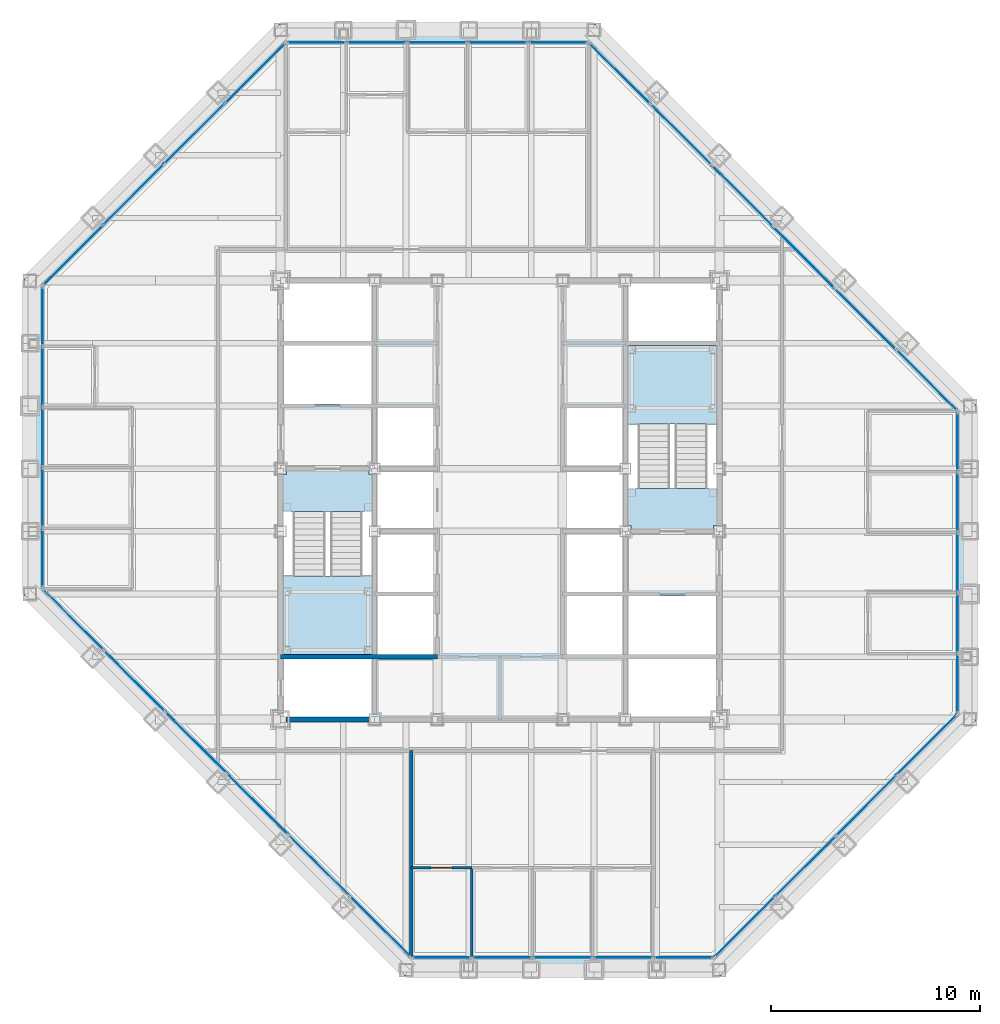
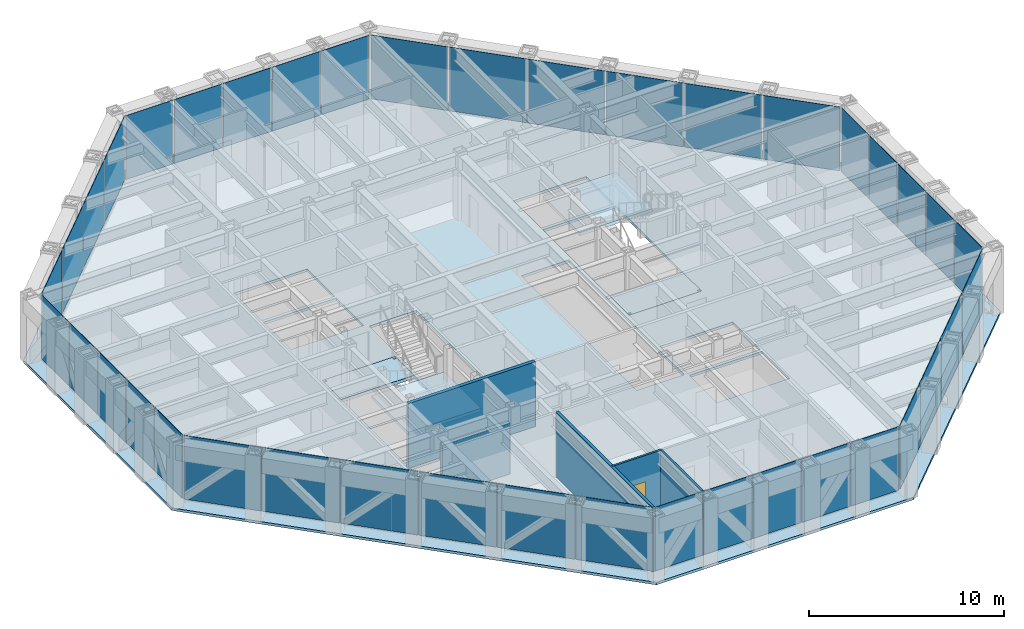
# One storey, part 10 of 16: 40 plates, 5 slabs, 5 walls, 1 door, 1 opening, 10 elements without a shape of their own.
"""IFC4 building model written with IfcOpenShell, lengths in metres."""

from ifc_helpers import new_model, si_unit, direction, frame, frame_2d, origin, origin_2d, place, context, subcontext, project, spatial, polyline, rectangle, outline, extrude, material, layer, layer_set, type_object, element, fill, aggregate, save


model = new_model("IFC4")

# Units and contexts
model_context = context("Model", 3, precision=1e-05, world=origin(), true_north=direction((0.0, 1.0)))
body_context = subcontext(model_context, "Body", "Model", "MODEL_VIEW")
ifc_project = project(units=[si_unit("LENGTHUNIT", "METRE"), si_unit("AREAUNIT", "SQUARE_METRE"), si_unit("VOLUMEUNIT", "CUBIC_METRE"), si_unit("PLANEANGLEUNIT", "RADIAN"), si_unit("MASSUNIT", "GRAM", prefix="KILO")], contexts=[model_context])

# Site, building, storey
site_placement = place(None, origin())
site = spatial("IfcSite", under=ifc_project, at=site_placement, CompositionType="ELEMENT")
building_placement = place(site_placement, origin())
building = spatial("IfcBuilding", under=site, at=building_placement, Name="Chuquiago Exchange Tower", CompositionType="ELEMENT")
storey_placement = place(building_placement, frame((0.0, 0.0, 247.5)))
storey = spatial("IfcBuildingStorey", under=building, at=storey_placement, Name="L55", CompositionType="ELEMENT", Elevation=247.5)

# Curtain wall, plate
ifc_material_1 = material(Name="Aluminium curtain wall system", Category="aluminium")
ifc_layer_1 = layer(ifc_material_1, 0.22509765625)
ifc_layer_set_1 = layer_set([ifc_layer_1], Name="CW2 office curtain wall")
curtain_wall_type_1 = type_object("IfcCurtainWallType", Name="CW2 office curtain wall", PredefinedType="NOTDEFINED", material=ifc_layer_set_1)
curtain_wall_1_placement = place(storey_placement, origin())
curtain_wall_1 = element("IfcCurtainWall", 1, at=curtain_wall_1_placement, inside=storey, type_object=curtain_wall_type_1, Name="CW2 curtain wall L55", PredefinedType="NOTDEFINED")
ifc_material_2 = material(Name="Glass, insulating unit", Category="glass")
ifc_layer_2 = layer(ifc_material_2, 0.030029296875)
ifc_layer_set_2 = layer_set([ifc_layer_2], Name="CW2-P panel 30")
plate_type_1 = type_object("IfcPlateType", Name="CW2-P panel 30", PredefinedType="CURTAIN_PANEL", material=ifc_layer_set_2)
plate_1_placement = place(storey_placement, frame((25.5, 0.60009765625, 0.06494140625), z_axis=(0.0, 0.0, 1.0), x_axis=(1.0, 0.0, 0.0)))
plate_1 = element("IfcPlate", 2, at=plate_1_placement, type_object=plate_type_1, Name="CW2 panel 3.1", PredefinedType="CURTAIN_PANEL", context=body_context, shape_type="SweptSolid", body=[
    extrude(rectangle(XDim=2.835693359375, YDim=0.030029296875, at=origin_2d()), origin(), (0.0, 0.0, 1.0), 3.97509765625),
])

curtain_wall_2_placement = place(storey_placement, origin())
curtain_wall_2 = element("IfcCurtainWall", 3, at=curtain_wall_2_placement, inside=storey, type_object=curtain_wall_type_1, Name="CW2 curtain wall L55", PredefinedType="NOTDEFINED")
plate_2_placement = place(storey_placement, frame((44.39990234375, 19.5, 0.06494140625), z_axis=(0.0, 0.0, 1.0), x_axis=(0.0, 1.0, 0.0)))
plate_2 = element("IfcPlate", 4, at=plate_2_placement, type_object=plate_type_1, Name="CW2 panel 3.1", PredefinedType="CURTAIN_PANEL", context=body_context, shape_type="SweptSolid", body=[
    extrude(rectangle(XDim=2.835693359375, YDim=0.030029296875, at=origin_2d()), origin(), (0.0, 0.0, 1.0), 3.97509765625),
])

curtain_wall_3_placement = place(storey_placement, origin())
curtain_wall_3 = element("IfcCurtainWall", 5, at=curtain_wall_3_placement, inside=storey, type_object=curtain_wall_type_1, Name="CW2 curtain wall L55", PredefinedType="NOTDEFINED")
plate_3_placement = place(storey_placement, frame((19.5, 44.39990234375, 0.06494140625), z_axis=(0.0, 0.0, 1.0), x_axis=(-1.0, 0.0, 0.0)))
plate_3 = element("IfcPlate", 6, at=plate_3_placement, type_object=plate_type_1, Name="CW2 panel 3.1", PredefinedType="CURTAIN_PANEL", context=body_context, shape_type="SweptSolid", body=[
    extrude(rectangle(XDim=2.835693359375, YDim=0.030029296875, at=origin_2d()), origin(), (0.0, 0.0, 1.0), 3.97509765625),
])

curtain_wall_4_placement = place(storey_placement, origin())
curtain_wall_4 = element("IfcCurtainWall", 7, at=curtain_wall_4_placement, inside=storey, type_object=curtain_wall_type_1, Name="CW2 curtain wall L55", PredefinedType="NOTDEFINED")
plate_4_placement = place(storey_placement, frame((0.60009765625, 25.5, 0.06494140625), z_axis=(0.0, 0.0, 1.0), x_axis=(0.0, -1.0, 0.0)))
plate_4 = element("IfcPlate", 8, at=plate_4_placement, type_object=plate_type_1, Name="CW2 panel 3.1", PredefinedType="CURTAIN_PANEL", context=body_context, shape_type="SweptSolid", body=[
    extrude(rectangle(XDim=2.835693359375, YDim=0.030029296875, at=origin_2d()), origin(), (0.0, 0.0, 1.0), 3.97509765625),
])

# Plate
ifc_material_3 = material(Name="Insulated spandrel panel, pale anodised aluminium", Category="aluminium")
ifc_layer_3 = layer(ifc_material_3, 0.030029296875)
ifc_layer_set_3 = layer_set([ifc_layer_3], Name="CW2-P spandrel panel 30")
plate_type_2 = type_object("IfcPlateType", Name="CW2-P spandrel panel 30", PredefinedType="CURTAIN_PANEL", material=ifc_layer_set_3)
plate_5_placement = place(storey_placement, frame((19.715087890625, 0.60009765625, 0.06494140625), z_axis=(0.0, 0.0, 1.0), x_axis=(1.0, 0.0, 0.0)))
plate_5 = element("IfcPlate", 9, at=plate_5_placement, type_object=plate_type_2, Name="CW2 panel 1.1", PredefinedType="CURTAIN_PANEL", context=body_context, shape_type="SweptSolid", body=[
    extrude(rectangle(XDim=2.802978515625, YDim=0.030029296875, at=origin_2d()), origin(), (0.0, 0.0, 1.0), 3.97509765625),
])

plate_6_placement = place(storey_placement, frame((22.599365234375, 0.60009765625, 0.06494140625), z_axis=(0.0, 0.0, 1.0), x_axis=(1.0, 0.0, 0.0)))
plate_6 = element("IfcPlate", 10, at=plate_6_placement, type_object=plate_type_2, Name="CW2 panel 2.1", PredefinedType="CURTAIN_PANEL", context=body_context, shape_type="SweptSolid", body=[
    extrude(rectangle(XDim=2.835693359375, YDim=0.030029296875, at=origin_2d()), origin(), (0.0, 0.0, 1.0), 3.97509765625),
])

plate_7_placement = place(storey_placement, frame((28.400634765625, 0.60009765625, 0.06494140625), z_axis=(0.0, 0.0, 1.0), x_axis=(1.0, 0.0, 0.0)))
plate_7 = element("IfcPlate", 11, at=plate_7_placement, type_object=plate_type_2, Name="CW2 panel 4.1", PredefinedType="CURTAIN_PANEL", context=body_context, shape_type="SweptSolid", body=[
    extrude(rectangle(XDim=2.835693359375, YDim=0.030029296875, at=origin_2d()), origin(), (0.0, 0.0, 1.0), 3.97509765625),
])

plate_8_placement = place(storey_placement, frame((31.284912109375, 0.60009765625, 0.06494140625), z_axis=(0.0, 0.0, 1.0), x_axis=(1.0, 0.0, 0.0)))
plate_8 = element("IfcPlate", 12, at=plate_8_placement, type_object=plate_type_2, Name="CW2 panel 5.1", PredefinedType="CURTAIN_PANEL", context=body_context, shape_type="SweptSolid", body=[
    extrude(rectangle(XDim=2.802978515625, YDim=0.030029296875, at=origin_2d()), origin(), (0.0, 0.0, 1.0), 3.97509765625),
])

aggregate(curtain_wall_1, [plate_5, plate_6, plate_1, plate_7, plate_8])

plate_9_placement = place(storey_placement, frame((44.39990234375, 13.715087890625, 0.06494140625), z_axis=(0.0, 0.0, 1.0), x_axis=(0.0, 1.0, 0.0)))
plate_9 = element("IfcPlate", 13, at=plate_9_placement, type_object=plate_type_2, Name="CW2 panel 1.1", PredefinedType="CURTAIN_PANEL", context=body_context, shape_type="SweptSolid", body=[
    extrude(rectangle(XDim=2.802978515625, YDim=0.030029296875, at=origin_2d()), origin(), (0.0, 0.0, 1.0), 3.97509765625),
])

plate_10_placement = place(storey_placement, frame((44.39990234375, 16.599365234375, 0.06494140625), z_axis=(0.0, 0.0, 1.0), x_axis=(0.0, 1.0, 0.0)))
plate_10 = element("IfcPlate", 14, at=plate_10_placement, type_object=plate_type_2, Name="CW2 panel 2.1", PredefinedType="CURTAIN_PANEL", context=body_context, shape_type="SweptSolid", body=[
    extrude(rectangle(XDim=2.835693359375, YDim=0.030029296875, at=origin_2d()), origin(), (0.0, 0.0, 1.0), 3.97509765625),
])

plate_11_placement = place(storey_placement, frame((44.39990234375, 22.400634765625, 0.06494140625), z_axis=(0.0, 0.0, 1.0), x_axis=(0.0, 1.0, 0.0)))
plate_11 = element("IfcPlate", 15, at=plate_11_placement, type_object=plate_type_2, Name="CW2 panel 4.1", PredefinedType="CURTAIN_PANEL", context=body_context, shape_type="SweptSolid", body=[
    extrude(rectangle(XDim=2.835693359375, YDim=0.030029296875, at=origin_2d()), origin(), (0.0, 0.0, 1.0), 3.97509765625),
])

plate_12_placement = place(storey_placement, frame((44.39990234375, 25.284912109375, 0.06494140625), z_axis=(0.0, 0.0, 1.0), x_axis=(0.0, 1.0, 0.0)))
plate_12 = element("IfcPlate", 16, at=plate_12_placement, type_object=plate_type_2, Name="CW2 panel 5.1", PredefinedType="CURTAIN_PANEL", context=body_context, shape_type="SweptSolid", body=[
    extrude(rectangle(XDim=2.802978515625, YDim=0.030029296875, at=origin_2d()), origin(), (0.0, 0.0, 1.0), 3.97509765625),
])

aggregate(curtain_wall_2, [plate_9, plate_10, plate_2, plate_11, plate_12])

plate_13_placement = place(storey_placement, frame((25.284912109375, 44.39990234375, 0.06494140625), z_axis=(0.0, 0.0, 1.0), x_axis=(-1.0, 0.0, 0.0)))
plate_13 = element("IfcPlate", 17, at=plate_13_placement, type_object=plate_type_2, Name="CW2 panel 1.1", PredefinedType="CURTAIN_PANEL", context=body_context, shape_type="SweptSolid", body=[
    extrude(rectangle(XDim=2.802978515625, YDim=0.030029296875, at=origin_2d()), origin(), (0.0, 0.0, 1.0), 3.97509765625),
])

plate_14_placement = place(storey_placement, frame((22.400634765625, 44.39990234375, 0.06494140625), z_axis=(0.0, 0.0, 1.0), x_axis=(-1.0, 0.0, 0.0)))
plate_14 = element("IfcPlate", 18, at=plate_14_placement, type_object=plate_type_2, Name="CW2 panel 2.1", PredefinedType="CURTAIN_PANEL", context=body_context, shape_type="SweptSolid", body=[
    extrude(rectangle(XDim=2.835693359375, YDim=0.030029296875, at=origin_2d()), origin(), (0.0, 0.0, 1.0), 3.97509765625),
])

plate_15_placement = place(storey_placement, frame((16.599365234375, 44.39990234375, 0.06494140625), z_axis=(0.0, 0.0, 1.0), x_axis=(-1.0, 0.0, 0.0)))
plate_15 = element("IfcPlate", 19, at=plate_15_placement, type_object=plate_type_2, Name="CW2 panel 4.1", PredefinedType="CURTAIN_PANEL", context=body_context, shape_type="SweptSolid", body=[
    extrude(rectangle(XDim=2.835693359375, YDim=0.030029296875, at=origin_2d()), origin(), (0.0, 0.0, 1.0), 3.97509765625),
])

plate_16_placement = place(storey_placement, frame((13.715087890625, 44.39990234375, 0.06494140625), z_axis=(0.0, 0.0, 1.0), x_axis=(-1.0, 0.0, 0.0)))
plate_16 = element("IfcPlate", 20, at=plate_16_placement, type_object=plate_type_2, Name="CW2 panel 5.1", PredefinedType="CURTAIN_PANEL", context=body_context, shape_type="SweptSolid", body=[
    extrude(rectangle(XDim=2.802978515625, YDim=0.030029296875, at=origin_2d()), origin(), (0.0, 0.0, 1.0), 3.97509765625),
])

aggregate(curtain_wall_3, [plate_13, plate_14, plate_3, plate_15, plate_16])

plate_17_placement = place(storey_placement, frame((0.60009765625, 31.284912109375, 0.06494140625), z_axis=(0.0, 0.0, 1.0), x_axis=(0.0, -1.0, 0.0)))
plate_17 = element("IfcPlate", 21, at=plate_17_placement, type_object=plate_type_2, Name="CW2 panel 1.1", PredefinedType="CURTAIN_PANEL", context=body_context, shape_type="SweptSolid", body=[
    extrude(rectangle(XDim=2.802978515625, YDim=0.030029296875, at=origin_2d()), origin(), (0.0, 0.0, 1.0), 3.97509765625),
])

plate_18_placement = place(storey_placement, frame((0.60009765625, 28.400634765625, 0.06494140625), z_axis=(0.0, 0.0, 1.0), x_axis=(0.0, -1.0, 0.0)))
plate_18 = element("IfcPlate", 22, at=plate_18_placement, type_object=plate_type_2, Name="CW2 panel 2.1", PredefinedType="CURTAIN_PANEL", context=body_context, shape_type="SweptSolid", body=[
    extrude(rectangle(XDim=2.835693359375, YDim=0.030029296875, at=origin_2d()), origin(), (0.0, 0.0, 1.0), 3.97509765625),
])

plate_19_placement = place(storey_placement, frame((0.60009765625, 22.599365234375, 0.06494140625), z_axis=(0.0, 0.0, 1.0), x_axis=(0.0, -1.0, 0.0)))
plate_19 = element("IfcPlate", 23, at=plate_19_placement, type_object=plate_type_2, Name="CW2 panel 4.1", PredefinedType="CURTAIN_PANEL", context=body_context, shape_type="SweptSolid", body=[
    extrude(rectangle(XDim=2.835693359375, YDim=0.030029296875, at=origin_2d()), origin(), (0.0, 0.0, 1.0), 3.97509765625),
])

plate_20_placement = place(storey_placement, frame((0.60009765625, 19.715087890625, 0.06494140625), z_axis=(0.0, 0.0, 1.0), x_axis=(0.0, -1.0, 0.0)))
plate_20 = element("IfcPlate", 24, at=plate_20_placement, type_object=plate_type_2, Name="CW2 panel 5.1", PredefinedType="CURTAIN_PANEL", context=body_context, shape_type="SweptSolid", body=[
    extrude(rectangle(XDim=2.802978515625, YDim=0.030029296875, at=origin_2d()), origin(), (0.0, 0.0, 1.0), 3.97509765625),
])

aggregate(curtain_wall_4, [plate_17, plate_18, plate_4, plate_19, plate_20])

# Curtain wall, plates
ifc_material_4 = material(Name="Aluminium curtain wall system", Category="aluminium")
ifc_layer_4 = layer(ifc_material_4, 0.199951171875)
ifc_layer_set_4 = layer_set([ifc_layer_4], Name="CW3 facet curtain wall")
curtain_wall_type_2 = type_object("IfcCurtainWallType", Name="CW3 facet curtain wall", PredefinedType="NOTDEFINED", material=ifc_layer_set_4)
curtain_wall_5_placement = place(storey_placement, origin())
curtain_wall_5 = element("IfcCurtainWall", 25, at=curtain_wall_5_placement, inside=storey, type_object=curtain_wall_type_2, Name="CW3 curtain wall L55", PredefinedType="NOTDEFINED")
ifc_material_5 = material(Name="Insulated spandrel panel, pale anodised aluminium", Category="aluminium")
ifc_layer_5 = layer(ifc_material_5, 0.030029296875)
ifc_layer_set_5 = layer_set([ifc_layer_5], Name="CW3-P spandrel panel 30")
plate_type_3 = type_object("IfcPlateType", Name="CW3-P spandrel panel 30", PredefinedType="CURTAIN_PANEL", material=ifc_layer_set_5)
plate_21_placement = place(storey_placement, frame((34.218994140625, 2.067626953125, 0.06494140625), z_axis=(0.0, 0.0, 1.0), x_axis=(0.707106781187, 0.707106781187, 0.0)))
plate_21 = element("IfcPlate", 26, at=plate_21_placement, type_object=plate_type_3, Name="CW3 panel 1.1", PredefinedType="CURTAIN_PANEL", context=body_context, shape_type="SweptSolid", body=[
    extrude(rectangle(XDim=4.020751953125, YDim=0.030029296875, at=origin_2d()), origin(), (0.0, 0.0, 1.0), 3.97509765625),
])
plate_22_placement = place(storey_placement, frame((37.11962890625, 4.96826171875, 0.06494140625), z_axis=(0.0, 0.0, 1.0), x_axis=(0.707106781187, 0.707106781187, 0.0)))
plate_22 = element("IfcPlate", 27, at=plate_22_placement, type_object=plate_type_3, Name="CW3 panel 2.1", PredefinedType="CURTAIN_PANEL", context=body_context, shape_type="SweptSolid", body=[
    extrude(rectangle(XDim=4.053466796875, YDim=0.030029296875, at=origin_2d()), origin(), (0.0, 0.0, 1.0), 3.97509765625),
])
plate_23_placement = place(storey_placement, frame((40.03173828125, 7.88037109375, 0.06494140625), z_axis=(0.0, 0.0, 1.0), x_axis=(0.707106781187, 0.707106781187, 0.0)))
plate_23 = element("IfcPlate", 28, at=plate_23_placement, type_object=plate_type_3, Name="CW3 panel 3.1", PredefinedType="CURTAIN_PANEL", context=body_context, shape_type="SweptSolid", body=[
    extrude(rectangle(XDim=4.053466796875, YDim=0.030029296875, at=origin_2d()), origin(), (0.0, 0.0, 1.0), 3.97509765625),
])
plate_24_placement = place(storey_placement, frame((42.932373046875, 10.781005859375, 0.06494140625), z_axis=(0.0, 0.0, 1.0), x_axis=(0.707106781187, 0.707106781187, 0.0)))
plate_24 = element("IfcPlate", 29, at=plate_24_placement, type_object=plate_type_3, Name="CW3 panel 4.1", PredefinedType="CURTAIN_PANEL", context=body_context, shape_type="SweptSolid", body=[
    extrude(rectangle(XDim=4.020751953125, YDim=0.030029296875, at=origin_2d()), origin(), (0.0, 0.0, 1.0), 3.97509765625),
])
aggregate(curtain_wall_5, [plate_21, plate_22, plate_23, plate_24])

curtain_wall_6_placement = place(storey_placement, origin())
curtain_wall_6 = element("IfcCurtainWall", 30, at=curtain_wall_6_placement, inside=storey, type_object=curtain_wall_type_2, Name="CW3 curtain wall L55", PredefinedType="NOTDEFINED")
plate_25_placement = place(storey_placement, frame((42.917724609375, 28.233642578125, 0.06494140625), z_axis=(0.0, 0.0, 1.0), x_axis=(-0.707106781187, 0.707106781187, 0.0)))
plate_25 = element("IfcPlate", 31, at=plate_25_placement, type_object=plate_type_3, Name="CW3 panel 1.1", PredefinedType="CURTAIN_PANEL", context=body_context, shape_type="SweptSolid", body=[
    extrude(rectangle(XDim=4.062255859375, YDim=0.030029296875, at=origin_2d()), origin(), (0.0, 0.0, 1.0), 3.97509765625),
])
plate_26_placement = place(storey_placement, frame((39.98779296875, 31.16357421875, 0.06494140625), z_axis=(0.0, 0.0, 1.0), x_axis=(-0.707106781187, 0.707106781187, 0.0)))
plate_26 = element("IfcPlate", 32, at=plate_26_placement, type_object=plate_type_3, Name="CW3 panel 2.1", PredefinedType="CURTAIN_PANEL", context=body_context, shape_type="SweptSolid", body=[
    extrude(rectangle(XDim=4.0947265625, YDim=0.030029296875, at=origin_2d()), origin(), (0.0, 0.0, 1.0), 3.97509765625),
])
plate_27_placement = place(storey_placement, frame((37.04638671875, 34.10498046875, 0.06494140625), z_axis=(0.0, 0.0, 1.0), x_axis=(-0.707106781187, 0.707106781187, 0.0)))
plate_27 = element("IfcPlate", 33, at=plate_27_placement, type_object=plate_type_3, Name="CW3 panel 3.1", PredefinedType="CURTAIN_PANEL", context=body_context, shape_type="SweptSolid", body=[
    extrude(rectangle(XDim=4.0947265625, YDim=0.030029296875, at=origin_2d()), origin(), (0.0, 0.0, 1.0), 3.97509765625),
])
plate_28_placement = place(storey_placement, frame((34.10498046875, 37.04638671875, 0.06494140625), z_axis=(0.0, 0.0, 1.0), x_axis=(-0.707106781187, 0.707106781187, 0.0)))
plate_28 = element("IfcPlate", 34, at=plate_28_placement, type_object=plate_type_3, Name="CW3 panel 4.1", PredefinedType="CURTAIN_PANEL", context=body_context, shape_type="SweptSolid", body=[
    extrude(rectangle(XDim=4.0947265625, YDim=0.030029296875, at=origin_2d()), origin(), (0.0, 0.0, 1.0), 3.97509765625),
])
plate_29_placement = place(storey_placement, frame((31.16357421875, 39.98779296875, 0.06494140625), z_axis=(0.0, 0.0, 1.0), x_axis=(-0.707106781187, 0.707106781187, 0.0)))
plate_29 = element("IfcPlate", 35, at=plate_29_placement, type_object=plate_type_3, Name="CW3 panel 5.1", PredefinedType="CURTAIN_PANEL", context=body_context, shape_type="SweptSolid", body=[
    extrude(rectangle(XDim=4.0947265625, YDim=0.030029296875, at=origin_2d()), origin(), (0.0, 0.0, 1.0), 3.97509765625),
])
plate_30_placement = place(storey_placement, frame((28.233642578125, 42.917724609375, 0.06494140625), z_axis=(0.0, 0.0, 1.0), x_axis=(-0.707106781187, 0.707106781187, 0.0)))
plate_30 = element("IfcPlate", 36, at=plate_30_placement, type_object=plate_type_3, Name="CW3 panel 6.1", PredefinedType="CURTAIN_PANEL", context=body_context, shape_type="SweptSolid", body=[
    extrude(rectangle(XDim=4.062255859375, YDim=0.030029296875, at=origin_2d()), origin(), (0.0, 0.0, 1.0), 3.97509765625),
])
aggregate(curtain_wall_6, [plate_25, plate_26, plate_27, plate_28, plate_29, plate_30])

curtain_wall_7_placement = place(storey_placement, origin())
curtain_wall_7 = element("IfcCurtainWall", 37, at=curtain_wall_7_placement, inside=storey, type_object=curtain_wall_type_2, Name="CW3 curtain wall L55", PredefinedType="NOTDEFINED")
plate_31_placement = place(storey_placement, frame((10.781005859375, 42.932373046875, 0.06494140625), z_axis=(0.0, 0.0, 1.0), x_axis=(-0.707106781187, -0.707106781187, 0.0)))
plate_31 = element("IfcPlate", 38, at=plate_31_placement, type_object=plate_type_3, Name="CW3 panel 1.1", PredefinedType="CURTAIN_PANEL", context=body_context, shape_type="SweptSolid", body=[
    extrude(rectangle(XDim=4.020751953125, YDim=0.030029296875, at=origin_2d()), origin(), (0.0, 0.0, 1.0), 3.97509765625),
])
plate_32_placement = place(storey_placement, frame((7.88037109375, 40.03173828125, 0.06494140625), z_axis=(0.0, 0.0, 1.0), x_axis=(-0.707106781187, -0.707106781187, 0.0)))
plate_32 = element("IfcPlate", 39, at=plate_32_placement, type_object=plate_type_3, Name="CW3 panel 2.1", PredefinedType="CURTAIN_PANEL", context=body_context, shape_type="SweptSolid", body=[
    extrude(rectangle(XDim=4.053466796875, YDim=0.030029296875, at=origin_2d()), origin(), (0.0, 0.0, 1.0), 3.97509765625),
])
plate_33_placement = place(storey_placement, frame((4.96826171875, 37.11962890625, 0.06494140625), z_axis=(0.0, 0.0, 1.0), x_axis=(-0.707106781187, -0.707106781187, 0.0)))
plate_33 = element("IfcPlate", 40, at=plate_33_placement, type_object=plate_type_3, Name="CW3 panel 3.1", PredefinedType="CURTAIN_PANEL", context=body_context, shape_type="SweptSolid", body=[
    extrude(rectangle(XDim=4.053466796875, YDim=0.030029296875, at=origin_2d()), origin(), (0.0, 0.0, 1.0), 3.97509765625),
])
plate_34_placement = place(storey_placement, frame((2.067626953125, 34.218994140625, 0.06494140625), z_axis=(0.0, 0.0, 1.0), x_axis=(-0.707106781187, -0.707106781187, 0.0)))
plate_34 = element("IfcPlate", 41, at=plate_34_placement, type_object=plate_type_3, Name="CW3 panel 4.1", PredefinedType="CURTAIN_PANEL", context=body_context, shape_type="SweptSolid", body=[
    extrude(rectangle(XDim=4.020751953125, YDim=0.030029296875, at=origin_2d()), origin(), (0.0, 0.0, 1.0), 3.97509765625),
])
aggregate(curtain_wall_7, [plate_31, plate_32, plate_33, plate_34])

curtain_wall_8_placement = place(storey_placement, origin())
curtain_wall_8 = element("IfcCurtainWall", 42, at=curtain_wall_8_placement, inside=storey, type_object=curtain_wall_type_2, Name="CW3 curtain wall L55", PredefinedType="NOTDEFINED")
plate_35_placement = place(storey_placement, frame((2.082275390625, 16.766357421875, 0.06494140625), z_axis=(0.0, 0.0, 1.0), x_axis=(0.707106781187, -0.707106781187, 0.0)))
plate_35 = element("IfcPlate", 43, at=plate_35_placement, type_object=plate_type_3, Name="CW3 panel 1.1", PredefinedType="CURTAIN_PANEL", context=body_context, shape_type="SweptSolid", body=[
    extrude(rectangle(XDim=4.062255859375, YDim=0.030029296875, at=origin_2d()), origin(), (0.0, 0.0, 1.0), 3.97509765625),
])
plate_36_placement = place(storey_placement, frame((5.01220703125, 13.83642578125, 0.06494140625), z_axis=(0.0, 0.0, 1.0), x_axis=(0.707106781187, -0.707106781187, 0.0)))
plate_36 = element("IfcPlate", 44, at=plate_36_placement, type_object=plate_type_3, Name="CW3 panel 2.1", PredefinedType="CURTAIN_PANEL", context=body_context, shape_type="SweptSolid", body=[
    extrude(rectangle(XDim=4.0947265625, YDim=0.030029296875, at=origin_2d()), origin(), (0.0, 0.0, 1.0), 3.97509765625),
])
plate_37_placement = place(storey_placement, frame((7.95361328125, 10.89501953125, 0.06494140625), z_axis=(0.0, 0.0, 1.0), x_axis=(0.707106781187, -0.707106781187, 0.0)))
plate_37 = element("IfcPlate", 45, at=plate_37_placement, type_object=plate_type_3, Name="CW3 panel 3.1", PredefinedType="CURTAIN_PANEL", context=body_context, shape_type="SweptSolid", body=[
    extrude(rectangle(XDim=4.0947265625, YDim=0.030029296875, at=origin_2d()), origin(), (0.0, 0.0, 1.0), 3.97509765625),
])
plate_38_placement = place(storey_placement, frame((10.89501953125, 7.95361328125, 0.06494140625), z_axis=(0.0, 0.0, 1.0), x_axis=(0.707106781187, -0.707106781187, 0.0)))
plate_38 = element("IfcPlate", 46, at=plate_38_placement, type_object=plate_type_3, Name="CW3 panel 4.1", PredefinedType="CURTAIN_PANEL", context=body_context, shape_type="SweptSolid", body=[
    extrude(rectangle(XDim=4.0947265625, YDim=0.030029296875, at=origin_2d()), origin(), (0.0, 0.0, 1.0), 3.97509765625),
])
plate_39_placement = place(storey_placement, frame((13.83642578125, 5.01220703125, 0.06494140625), z_axis=(0.0, 0.0, 1.0), x_axis=(0.707106781187, -0.707106781187, 0.0)))
plate_39 = element("IfcPlate", 47, at=plate_39_placement, type_object=plate_type_3, Name="CW3 panel 5.1", PredefinedType="CURTAIN_PANEL", context=body_context, shape_type="SweptSolid", body=[
    extrude(rectangle(XDim=4.0947265625, YDim=0.030029296875, at=origin_2d()), origin(), (0.0, 0.0, 1.0), 3.97509765625),
])
plate_40_placement = place(storey_placement, frame((16.766357421875, 2.082275390625, 0.06494140625), z_axis=(0.0, 0.0, 1.0), x_axis=(0.707106781187, -0.707106781187, 0.0)))
plate_40 = element("IfcPlate", 48, at=plate_40_placement, type_object=plate_type_3, Name="CW3 panel 6.1", PredefinedType="CURTAIN_PANEL", context=body_context, shape_type="SweptSolid", body=[
    extrude(rectangle(XDim=4.062255859375, YDim=0.030029296875, at=origin_2d()), origin(), (0.0, 0.0, 1.0), 3.97509765625),
])
aggregate(curtain_wall_8, [plate_35, plate_36, plate_37, plate_38, plate_39, plate_40])

# Slab
ifc_material_6 = material(Name="Concrete C30/37", Category="concrete")
ifc_layer_6 = layer(ifc_material_6, 0.159912109375)
ifc_layer_set_6 = layer_set([ifc_layer_6], Name="FS1 composite floor 160")
slab_type_1 = type_object("IfcSlabType", Name="FS1 composite floor 160", PredefinedType="FLOOR", material=ifc_layer_set_6)
slab_1_placement = place(storey_placement, frame((0.0, 0.0, -0.159912109375)))
element("IfcSlab", 49, at=slab_1_placement, inside=storey, type_object=slab_type_1, Name="L55 floor slab", PredefinedType="FLOOR", context=body_context, shape_type="SweptSolid", body=[
    extrude(outline(polyline([(17.896484375, -0.25), (-0.25, 17.896484375), (-0.25, 33.103515625), (11.896484375, 45.25), (27.103515625, 45.25), (45.25, 27.103515625), (45.25, 11.896484375), (33.103515625, -0.25), (17.896484375, -0.25)]), holes=[polyline([(16.39990234375, 15.10009765625), (12.10009765625, 15.10009765625), (12.10009765625, 23.89990234375), (16.39990234375, 23.89990234375), (16.39990234375, 15.10009765625)]), polyline([(32.89990234375, 21.10009765625), (28.60009765625, 21.10009765625), (28.60009765625, 29.89990234375), (32.89990234375, 29.89990234375), (32.89990234375, 21.10009765625)]), polyline([(16.39990234375, 12.10009765625), (12.10009765625, 12.10009765625), (12.10009765625, 14.89990234375), (16.39990234375, 14.89990234375), (16.39990234375, 12.10009765625)]), polyline([(16.39990234375, 30.10009765625), (12.10009765625, 30.10009765625), (12.10009765625, 32.89990234375), (16.39990234375, 32.89990234375), (16.39990234375, 30.10009765625)]), polyline([(32.89990234375, 12.10009765625), (28.60009765625, 12.10009765625), (28.60009765625, 14.89990234375), (32.89990234375, 14.89990234375), (32.89990234375, 12.10009765625)]), polyline([(32.89990234375, 30.10009765625), (28.60009765625, 30.10009765625), (28.60009765625, 32.89990234375), (32.89990234375, 32.89990234375), (32.89990234375, 30.10009765625)]), polyline([(16.39990234375, 27.10009765625), (12.10009765625, 27.10009765625), (12.10009765625, 29.89990234375), (16.39990234375, 29.89990234375), (16.39990234375, 27.10009765625)]), polyline([(32.89990234375, 15.10009765625), (28.60009765625, 15.10009765625), (28.60009765625, 17.89990234375), (32.89990234375, 17.89990234375), (32.89990234375, 15.10009765625)]), polyline([(19.39990234375, 15.10009765625), (16.60009765625, 15.10009765625), (16.60009765625, 26.89990234375), (19.39990234375, 26.89990234375), (19.39990234375, 15.10009765625)]), polyline([(28.39990234375, 15.10009765625), (25.60009765625, 15.10009765625), (25.60009765625, 26.89990234375), (28.39990234375, 26.89990234375), (28.39990234375, 15.10009765625)])]), origin(), (0.0, 0.0, 1.0), 0.159912109375),
])

# Stair, slabs
ifc_material_7 = material(Name="Concrete C30/37, precast", Category="concrete")
stair_type_1 = type_object("IfcStairType", Name="ST1 half-turn stair 4200", PredefinedType="HALF_TURN_STAIR", material=ifc_material_7)
stair_1_placement = place(storey_placement, origin())
stair_1 = element("IfcStair", 50, at=stair_1_placement, inside=storey, type_object=stair_type_1, Name="Stair ST1 L55", PredefinedType="HALF_TURN_STAIR")
ifc_material_8 = material(Name="Concrete C30/37, precast", Category="concrete")
ifc_layer_7 = layer(ifc_material_8, 0.199951171875)
ifc_layer_set_7 = layer_set([ifc_layer_7], Name="ST-L landing 200")
slab_type_2 = type_object("IfcSlabType", Name="ST-L landing 200", PredefinedType="LANDING", material=ifc_layer_set_7)
slab_2_placement = place(storey_placement, frame((0.0, 0.0, -0.199951171875)))
slab_2 = element("IfcSlab", 51, at=slab_2_placement, type_object=slab_type_2, Name="ST1 landing 1", PredefinedType="LANDING", context=body_context, shape_type="SweptSolid", body=[
    extrude(outline(polyline([(12.27490234375, 23.89990234375), (16.22509765625, 23.89990234375), (16.22509765625, 23.72509765625), (16.39990234375, 23.72509765625), (16.39990234375, 21.949951171875), (12.10009765625, 21.949951171875), (12.10009765625, 23.72509765625), (12.27490234375, 23.72509765625), (12.27490234375, 23.89990234375)])), origin(), (0.0, 0.0, 1.0), 0.199951171875),
])
slab_3_placement = place(storey_placement, frame((0.0, 0.0, 1.89990234375)))
slab_3 = element("IfcSlab", 52, at=slab_3_placement, type_object=slab_type_2, Name="ST1 landing 2", PredefinedType="LANDING", context=body_context, shape_type="SweptSolid", body=[
    extrude(outline(polyline([(12.10009765625, 18.8701171875), (16.39990234375, 18.8701171875), (16.39990234375, 15.10009765625), (12.10009765625, 15.10009765625), (12.10009765625, 18.8701171875)])), origin(), (0.0, 0.0, 1.0), 0.2001953125),
])
aggregate(stair_1, [slab_2, slab_3])

ifc_material_9 = material(Name="Concrete C30/37, precast", Category="concrete")
stair_type_2 = type_object("IfcStairType", Name="ST2 half-turn stair 4200", PredefinedType="HALF_TURN_STAIR", material=ifc_material_9)
stair_2_placement = place(storey_placement, origin())
stair_2 = element("IfcStair", 53, at=stair_2_placement, inside=storey, type_object=stair_type_2, Name="Stair ST2 L55", PredefinedType="HALF_TURN_STAIR")
slab_4_placement = place(storey_placement, frame((0.0, 0.0, -0.199951171875)))
slab_4 = element("IfcSlab", 54, at=slab_4_placement, type_object=slab_type_2, Name="ST2 landing 1", PredefinedType="LANDING", context=body_context, shape_type="SweptSolid", body=[
    extrude(outline(polyline([(32.72509765625, 21.27490234375), (32.72509765625, 21.10009765625), (28.77490234375, 21.10009765625), (28.77490234375, 21.27490234375), (28.60009765625, 21.27490234375), (28.60009765625, 23.050048828125), (32.89990234375, 23.050048828125), (32.89990234375, 21.27490234375), (32.72509765625, 21.27490234375)])), origin(), (0.0, 0.0, 1.0), 0.199951171875),
])
slab_5_placement = place(storey_placement, frame((0.0, 0.0, 1.89990234375)))
slab_5 = element("IfcSlab", 55, at=slab_5_placement, type_object=slab_type_2, Name="ST2 landing 2", PredefinedType="LANDING", context=body_context, shape_type="SweptSolid", body=[
    extrude(outline(polyline([(28.60009765625, 29.89990234375), (32.89990234375, 29.89990234375), (32.89990234375, 26.1298828125), (28.60009765625, 26.1298828125), (28.60009765625, 29.89990234375)])), origin(), (0.0, 0.0, 1.0), 0.2001953125),
])
aggregate(stair_2, [slab_4, slab_5])

# Walls
ifc_material_10 = material(Name="Concrete masonry, fully grouted", Category="masonry")
ifc_layer_8 = layer(ifc_material_10, 0.25)
ifc_layer_set_8 = layer_set([ifc_layer_8], Name="W1 core wall 250")
wall_type_1 = type_object("IfcWallType", Name="W1 core wall 250", PredefinedType="SOLIDWALL", material=ifc_layer_set_8)
wall_1_placement = place(storey_placement, frame((12.25, 12.0, 0.0), z_axis=(0.0, 0.0, 1.0), x_axis=(1.0, 0.0, 0.0)))
element("IfcWall", 56, at=wall_1_placement, inside=storey, type_object=wall_type_1, Name="CW-L55-01-0", PredefinedType="SOLIDWALL", context=body_context, shape_type="SweptSolid", body=[
    extrude(rectangle(XDim=4.0, YDim=0.25, at=frame_2d((2.0, 0.0))), origin(), (0.0, 0.0, 1.0), 3.181396484375),
])
ifc_material_11 = material(Name="Gypsum board on twin steel studs, acoustic insulation", Category="steel")
ifc_layer_9 = layer(ifc_material_11, 0.175048828125)
ifc_layer_set_9 = layer_set([ifc_layer_9], Name="W12 tenant demising wall 175")
wall_type_2 = type_object("IfcWallType", Name="W12 tenant demising wall 175", PredefinedType="PARTITIONING", material=ifc_layer_set_9)
wall_2_placement = place(storey_placement, frame((18.24853515625, 0.666015625, 0.0), z_axis=(0.0, 0.0, 1.0), x_axis=(0.0, 1.0, 0.0)))
element("IfcWall", 57, at=wall_2_placement, inside=storey, type_object=wall_type_2, Name="PW-L55-DS01825", PredefinedType="PARTITIONING", context=body_context, shape_type="SweptSolid", body=[
    extrude(rectangle(XDim=9.833984375, YDim=0.175048828125, at=frame_2d((4.9169921875, 0.0))), origin(), (0.0, 0.0, 1.0), 4.0400390625),
])
ifc_material_12 = material(Name="Concrete masonry, fully grouted", Category="masonry")
ifc_layer_10 = layer(ifc_material_12, 0.199951171875)
ifc_layer_set_10 = layer_set([ifc_layer_10], Name="W2 shaft wall 200")
wall_type_3 = type_object("IfcWallType", Name="W2 shaft wall 200", PredefinedType="SOLIDWALL", material=ifc_layer_set_10)
wall_3_placement = place(storey_placement, frame((12.0, 15.0, 0.0), z_axis=(0.0, 0.0, 1.0), x_axis=(1.0, 0.0, 0.0)))
element("IfcWall", 58, at=wall_3_placement, inside=storey, type_object=wall_type_3, Name="CW-L55-03-0", PredefinedType="SOLIDWALL", context=body_context, shape_type="SweptSolid", body=[
    extrude(rectangle(XDim=7.5, YDim=0.199951171875, at=frame_2d((3.75, 0.0))), origin(), (0.0, 0.0, 1.0), 4.0400390625),
])
ifc_material_13 = material(Name="Gypsum board on steel studs", Category="steel")
ifc_layer_11 = layer(ifc_material_13, 0.1201171875)
ifc_layer_set_11 = layer_set([ifc_layer_11], Name="W4 partition 120")
wall_type_4 = type_object("IfcWallType", Name="W4 partition 120", PredefinedType="PARTITIONING", material=ifc_layer_set_11)
wall_4_placement = place(storey_placement, frame((21.149169921875, 0.652587890625, 0.0), z_axis=(0.0, 0.0, 1.0), x_axis=(0.0, 1.0, 0.0)))
element("IfcWall", 59, at=wall_4_placement, inside=storey, type_object=wall_type_4, Name="PW-L55-S02115", PredefinedType="PARTITIONING", context=body_context, shape_type="SweptSolid", body=[
    extrude(rectangle(XDim=4.247314453125, YDim=0.1201171875, at=frame_2d((2.12353515625, 0.0))), origin(), (0.0, 0.0, 1.0), 4.0400390625),
])

# Wall, opening, door
wall_5_placement = place(storey_placement, frame((18.24853515625, 4.89990234375, 0.0), z_axis=(0.0, 0.0, 1.0), x_axis=(1.0, 0.0, 0.0)))
wall_5 = element("IfcWall", 60, at=wall_5_placement, inside=storey, type_object=wall_type_4, Name="PW-L55-SF01825", PredefinedType="PARTITIONING", context=body_context, shape_type="SweptSolid", body=[
    extrude(rectangle(XDim=2.900634765625, YDim=0.1201171875, at=frame_2d((1.4501953125, 0.0))), origin(), (0.0, 0.0, 1.0), 4.0400390625),
])
opening_placement = place(wall_5_placement, frame((0.9501953125, 0.0, 0.0)))
opening = element("IfcOpeningElement", 61, at=opening_placement, cuts=wall_5, Name="Opening L55-021", PredefinedType="OPENING", context=body_context, shape_type="SweptSolid", body=[
    extrude(rectangle(XDim=1.0, YDim=2.39990234375, at=frame_2d((0.5, 1.199951171875))), frame((0.0, 0.070068359375, 0.0), z_axis=(0.0, -1.0, 0.0), x_axis=(1.0, 0.0, 0.0)), (0.0, 0.0, 1.0), 0.14013671875),
])
ifc_material_14 = material(Name="Timber door, laminate faced", Category="wood")
door_type = type_object("IfcDoorType", Name="D9 room door 1000x2400", OperationType="SINGLE_SWING_LEFT", PredefinedType="DOOR", material=ifc_material_14)
door_placement = place(opening_placement, frame((1.0, 0.0, 0.0), z_axis=(0.0, 0.0, 1.0), x_axis=(-1.0, 0.0, 0.0)))
door = element("IfcDoor", 62, at=door_placement, inside=storey, type_object=door_type, Name="Reception door", OperationType="SINGLE_SWING_RIGHT", OverallHeight=2.39990234375, OverallWidth=1.0, PredefinedType="DOOR", context=body_context, shape_type="SweptSolid", body=[
    extrude(rectangle(XDim=1.0, YDim=2.39990234375, at=frame_2d((0.5, 1.199951171875))), frame((0.0, 0.02490234375, 0.0), z_axis=(0.0, -1.0, 0.0), x_axis=(1.0, 0.0, 0.0)), (0.0, 0.0, 1.0), 0.050048828125),
])
fill(opening, door)

save(model, "model.ifc")
